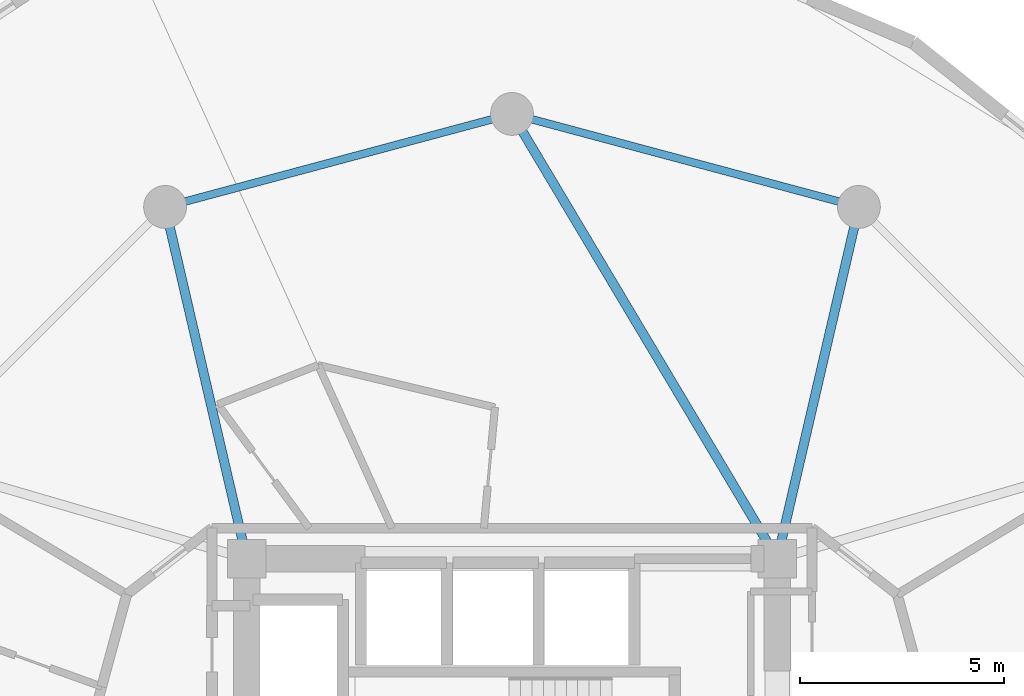
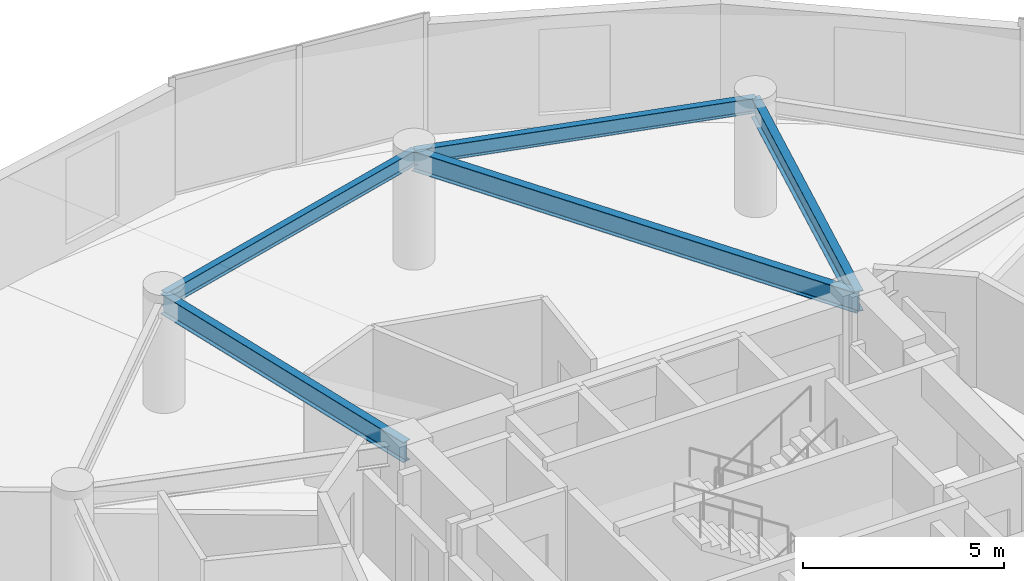
# One storey, part 14 of 22: 5 beams.
"""IFC4 building model written with IfcOpenShell, lengths in metres."""

from ifc_helpers import new_model, si_unit, direction, frame, origin, origin_2d, place, context, subcontext, project, spatial, i_section, extrude, material, material_profile, profile_set, type_object, element, save


model = new_model("IFC4")

# Units and contexts
model_context = context("Model", 3, precision=1e-05, world=origin(), true_north=direction((0.0, 1.0)))
body_context = subcontext(model_context, "Body", "Model", "MODEL_VIEW")
ifc_project = project(units=[si_unit("LENGTHUNIT", "METRE"), si_unit("AREAUNIT", "SQUARE_METRE"), si_unit("VOLUMEUNIT", "CUBIC_METRE"), si_unit("PLANEANGLEUNIT", "RADIAN"), si_unit("MASSUNIT", "GRAM", prefix="KILO")], contexts=[model_context])

# Site, building, storey
site_placement = place(None, origin())
site = spatial("IfcSite", under=ifc_project, at=site_placement, CompositionType="ELEMENT")
building_placement = place(site_placement, origin())
building = spatial("IfcBuilding", under=site, at=building_placement, Name="Solvirekh Grand Hotel", CompositionType="ELEMENT")
storey_placement = place(building_placement, frame((0.0, 0.0, 149.39990234375)))
storey = spatial("IfcBuildingStorey", under=building, at=storey_placement, Name="L38", CompositionType="ELEMENT", Elevation=149.39990234375)

# Beams
ifc_material = material(Name="Steel S355", Category="steel")
ifc_material_profile_1 = material_profile(ifc_material, i_section(OverallWidth=0.22802734375, OverallDepth=0.616943359375, WebThickness=0.012939453125, FlangeThickness=0.02001953125, FilletRadius=0.014892578125, at=origin_2d()), Name="W610X140")
ifc_profile_set_1 = profile_set([ifc_material_profile_1], Name="Steel S355")
beam_type_1 = type_object("IfcBeamType", Name="Beam_Radial_W610", PredefinedType="BEAM", material=ifc_profile_set_1)
beam_1_placement = place(storey_placement, frame((6.5, 6.10009765625, 3.041015625), z_axis=(0.225969390542, 0.974134402707, 0.0), x_axis=(-0.974134402707, 0.225969390542, 0.0)))
element("IfcBeam", 1, at=beam_1_placement, inside=storey, type_object=beam_type_1, Name="L38 radial floor beam R03", PredefinedType="BEAM", context=body_context, shape_type="SweptSolid", body=[
    extrude(i_section(OverallWidth=0.22802734375, OverallDepth=0.616943359375, WebThickness=0.012939453125, FlangeThickness=0.02001953125, FilletRadius=0.014892578125, at=origin_2d()), origin(), (0.0, 0.0, 1.0), 8.850830078125),
])
beam_2_placement = place(storey_placement, frame((6.5, 6.10009765625, 3.041015625), z_axis=(-0.512179721377, 0.858878299301, 0.0), x_axis=(-0.858878299301, -0.512179721377, 0.0)))
element("IfcBeam", 2, at=beam_2_placement, inside=storey, type_object=beam_type_1, Name="L38 radial floor beam R04", PredefinedType="BEAM", context=body_context, shape_type="SweptSolid", body=[
    extrude(i_section(OverallWidth=0.22802734375, OverallDepth=0.616943359375, WebThickness=0.012939453125, FlangeThickness=0.02001953125, FilletRadius=0.014892578125, at=origin_2d()), origin(), (0.0, 0.0, 1.0), 12.69091796875),
])
beam_3_placement = place(storey_placement, frame((-6.5, 6.10009765625, 3.041015625), z_axis=(-0.225969390542, 0.974134402707, 0.0), x_axis=(-0.974134402707, -0.225969390542, 0.0)))
element("IfcBeam", 3, at=beam_3_placement, inside=storey, type_object=beam_type_1, Name="L38 radial floor beam R05", PredefinedType="BEAM", context=body_context, shape_type="SweptSolid", body=[
    extrude(i_section(OverallWidth=0.22802734375, OverallDepth=0.616943359375, WebThickness=0.012939453125, FlangeThickness=0.02001953125, FilletRadius=0.014892578125, at=origin_2d()), origin(), (0.0, 0.0, 1.0), 8.850830078125),
])
ifc_material_profile_2 = material_profile(ifc_material, i_section(OverallWidth=0.18994140625, OverallDepth=0.45703125, WebThickness=0.009033203125, FlangeThickness=0.013916015625, FilletRadius=0.012939453125, at=origin_2d()), Name="W460X74")
ifc_profile_set_2 = profile_set([ifc_material_profile_2], Name="Steel S355")
beam_type_2 = type_object("IfcBeamType", Name="Spandrel_Ring_W460", PredefinedType="SPANDREL", material=ifc_profile_set_2)
for number, where, z_axis, x_axis, name in (
    (4, (8.5, 14.721923828125, 3.1220703125), (-0.965911391906, 0.258872908946, 0.0), (-0.258872908946, -0.965911391906, 0.0), "L38 perimeter spandrel beam 3"),
    (5, (0.0, 17.0, 3.1220703125), (-0.965911391906, -0.258872908946, 0.0), (0.258872908946, -0.965911391906, 0.0), "L38 perimeter spandrel beam 4"),
):
    element("IfcBeam", number, at=place(storey_placement, frame(where, z_axis=z_axis, x_axis=x_axis)), inside=storey, type_object=beam_type_2, Name=name, PredefinedType="SPANDREL", context=body_context, shape_type="SweptSolid", body=[
        extrude(i_section(OverallWidth=0.18994140625, OverallDepth=0.45703125, WebThickness=0.009033203125, FlangeThickness=0.013916015625, FilletRadius=0.012939453125, at=origin_2d()), origin(), (0.0, 0.0, 1.0), 8.800048828125),
    ])

save(model, "model.ifc")
